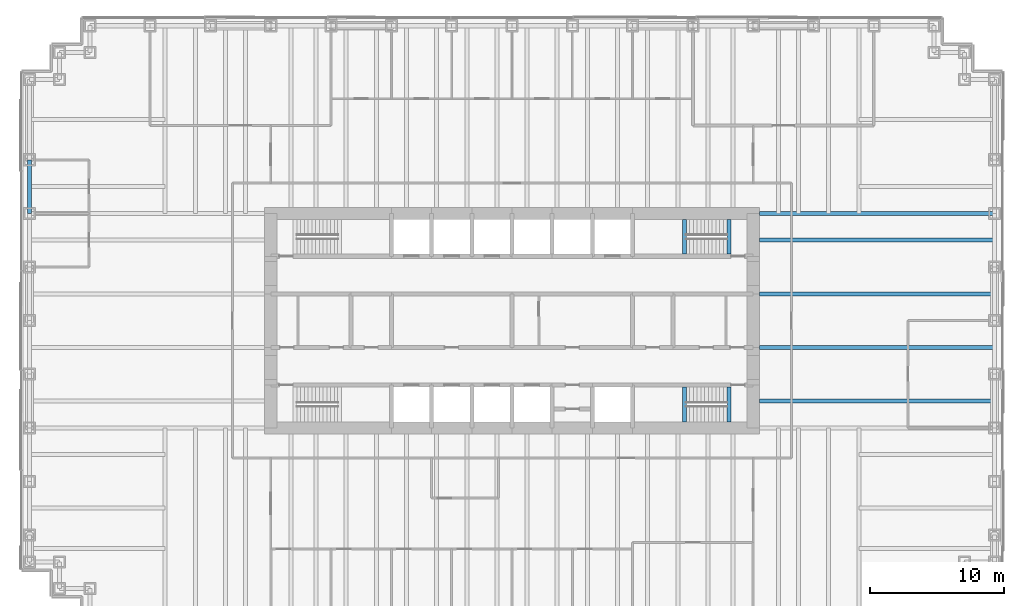
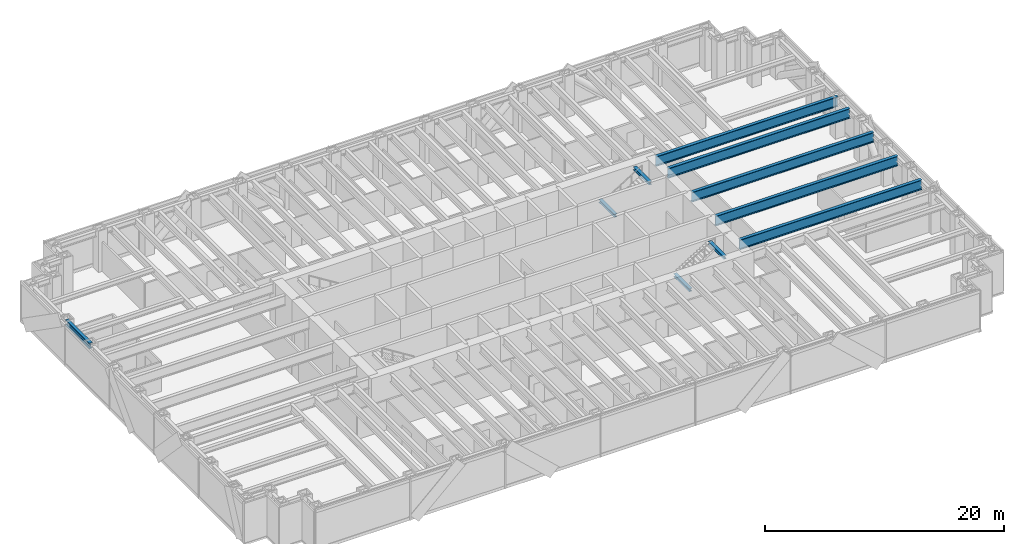
# One storey, part 5 of 15: 10 beams.
"""IFC4 building model written with IfcOpenShell, lengths in metres."""

import ifcopenshell
import ifcopenshell.guid

model = None  # the IFC model being written
_history = None  # IfcOwnerHistory: only IFC2X3 demands one
_inside = {}  # id of a spatial element -> (the spatial element, [elements in it])
_under = {}  # id of a project, library or spatial element -> (it, [spatial elements below it])
_declared = {}  # id of a project -> (the project, [libraries it declares])
_typed = {}  # id of a type object -> (the type object, [elements of that type])
_made_of = {}  # id of a material, layer set ... -> (it, [elements and type objects made of it])


def new_model(schema):
    """Start an empty IFC model of exactly this schema.

    Asked for "IFC4X3", IfcOpenShell would pick the latest addendum, in which some entities
    have other attributes; the version numbers below select the first issue.
    IFC2X3 requires an IfcOwnerHistory on every rooted entity: one is made here for all.
    """
    global model, _history
    if schema == "IFC4X3":
        model = ifcopenshell.file(schema_version=(4, 3, 0, 0))
    else:
        model = ifcopenshell.file(schema=schema)
    _inside.clear()
    _under.clear()
    _declared.clear()
    _typed.clear()
    _made_of.clear()
    _history = None
    if model.schema == "IFC2X3":
        org = make("IfcOrganization", Name="unknown")
        user = make(
            "IfcPersonAndOrganization",
            ThePerson=make("IfcPerson", FamilyName="unknown"),
            TheOrganization=org,
        )
        app = make(
            "IfcApplication",
            ApplicationDeveloper=org,
            Version="unknown",
            ApplicationFullName="unknown",
            ApplicationIdentifier="unknown",
        )
        _history = make(
            "IfcOwnerHistory",
            OwningUser=user,
            OwningApplication=app,
            ChangeAction="ADDED",
            CreationDate=0,
        )
    return model


def make(cls, **values):
    """One entity of the class cls with the attributes given. An attribute that is None is left unset."""
    return model.create_entity(
        cls, **{name: value for name, value in values.items() if value is not None}
    )


def rooted(cls, **values):
    """An entity with a GlobalId (a new one), such as an element, a storey or a relation."""
    return make(cls, GlobalId=ifcopenshell.guid.new(), OwnerHistory=_history, **values)


def si_unit(unit_type, name, prefix=None):
    """IfcSIUnit, for example si_unit("LENGTHUNIT", "METRE", prefix="MILLI")."""
    return make("IfcSIUnit", UnitType=unit_type, Prefix=prefix, Name=name)


def assignment(units):
    """IfcUnitAssignment: the units of a project."""
    return None if units is None else make("IfcUnitAssignment", Units=units)


def point(xyz):
    """IfcCartesianPoint."""
    return None if xyz is None else make("IfcCartesianPoint", Coordinates=xyz)


def direction(xyz):
    """IfcDirection."""
    return None if xyz is None else make("IfcDirection", DirectionRatios=xyz)


def frame(location, z_axis=None, x_axis=None):
    """IfcAxis2Placement3D, a coordinate frame: its origin and axes. An axis left out is left unset."""
    return make(
        "IfcAxis2Placement3D",
        Location=point(location),
        Axis=direction(z_axis),
        RefDirection=direction(x_axis),
    )


def frame_2d(location, x_axis=None):
    """IfcAxis2Placement2D, a coordinate frame in the plane: its origin and x axis."""
    return make(
        "IfcAxis2Placement2D", Location=point(location), RefDirection=direction(x_axis)
    )


def origin():
    """The frame at (0, 0, 0) with its axes left unset."""
    return frame((0.0, 0.0, 0.0))


def origin_2d():
    """The frame at (0, 0) in the plane with its x axis left unset."""
    return frame_2d((0.0, 0.0))


def place(relative_to, where):
    """IfcLocalPlacement: puts the frame where relative to a parent placement (None: the world)."""
    return make(
        "IfcLocalPlacement", PlacementRelTo=relative_to, RelativePlacement=where
    )


def context(
    kind, dimensions, precision=None, world=None, true_north=None, identifier=None
):
    """IfcGeometricRepresentationContext, for example the 3D "Model" context."""
    return make(
        "IfcGeometricRepresentationContext",
        ContextIdentifier=identifier,
        ContextType=kind,
        CoordinateSpaceDimension=dimensions,
        Precision=precision,
        WorldCoordinateSystem=world,
        TrueNorth=true_north,
    )


def subcontext(parent, identifier, kind, view, scale=None):
    """IfcGeometricRepresentationSubContext, for example "Body" below "Model"."""
    return make(
        "IfcGeometricRepresentationSubContext",
        ContextIdentifier=identifier,
        ContextType=kind,
        ParentContext=parent,
        TargetScale=scale,
        TargetView=view,
    )


def project(units=None, contexts=None):
    """IfcProject with its units and contexts."""
    return rooted(
        "IfcProject",
        Name="project",
        RepresentationContexts=contexts,
        UnitsInContext=assignment(units),
    )


def spatial(cls, under=None, at=None, **own):
    """A site, building, storey or space (cls), placed at a placement, below another one or the project."""
    s = rooted(cls, ObjectPlacement=at, **own)
    if under is not None:
        _under.setdefault(under.id(), (under, []))[1].append(s)
    return s


def profile(cls, at=None, kind="AREA", **sizes):
    """A parametric profile (cls). Its sizes go by their IFC names, for example OverallWidth=200.0."""
    return make(cls, ProfileType=kind, Position=at, **sizes)


def i_section(**sizes):
    """IfcIShapeProfileDef."""
    return profile("IfcIShapeProfileDef", **sizes)


def extrude(swept, where, along, depth):
    """IfcExtrudedAreaSolid: the profile swept, set in the frame where, extruded along a direction by depth."""
    return make(
        "IfcExtrudedAreaSolid",
        SweptArea=swept,
        Position=where,
        ExtrudedDirection=direction(along),
        Depth=depth,
    )


def shape(context_of_items, identifier, shape_type, items):
    """IfcShapeRepresentation: the items that make up one representation, for example the "Body"."""
    return make(
        "IfcShapeRepresentation",
        ContextOfItems=context_of_items,
        RepresentationIdentifier=identifier,
        RepresentationType=shape_type,
        Items=items,
    )


def material(Name=None, Category=None):
    """IfcMaterial."""
    return make("IfcMaterial", Name=Name, Category=Category)


def material_profile(
    of_material, cross_section, Name=None, Category=None, Priority=None
):
    """IfcMaterialProfile: a cross section and its material."""
    return make(
        "IfcMaterialProfile",
        Name=Name,
        Material=of_material,
        Profile=cross_section,
        Priority=Priority,
        Category=Category,
    )


def profile_set(profiles, Name=None, composite=None):
    """IfcMaterialProfileSet."""
    return make(
        "IfcMaterialProfileSet",
        Name=Name,
        MaterialProfiles=profiles,
        CompositeProfile=composite,
    )


def made_of(thing, what):
    """Note that an element or type object is made of a material, layer set ...; save() writes the relation."""
    if what is not None:
        _made_of.setdefault(what.id(), (what, []))[1].append(thing)
    return thing


def type_object(cls, material=None, **own):
    """A type object (cls), such as IfcWallType, which elements share."""
    return made_of(rooted(cls, **own), material)


def element(
    cls,
    number,
    at=None,
    inside=None,
    cuts=None,
    type_object=None,
    material=None,
    context=None,
    identifier="Body",
    shape_type=None,
    held_by="IfcProductDefinitionShape",
    body=None,
    shapes=None,
    **own,
):
    """One element of the class cls, such as IfcWall. Its Tag is "e" and its number.

    at: its placement. inside: the storey or other place that contains it. cuts: it is an
    opening in that element (IfcRelVoidsElement). A single representation is given by context,
    identifier, shape_type and body (its items); several are given by shapes. held_by: the class
    of the entity that holds the representations. save() writes the other relations.
    """
    e = rooted(cls, Tag="e%d" % number, ObjectPlacement=at, **own)
    if body is not None:
        shapes = [shape(context, identifier, shape_type, body)]
    if shapes is not None:
        e.Representation = make(held_by, Representations=shapes)
    if inside is not None:
        _inside.setdefault(inside.id(), (inside, []))[1].append(e)
    if cuts is not None:
        rooted(
            "IfcRelVoidsElement", RelatingBuildingElement=cuts, RelatedOpeningElement=e
        )
    if type_object is not None:
        _typed.setdefault(type_object.id(), (type_object, []))[1].append(e)
    return made_of(e, material)


def aggregate(whole, parts):
    """IfcRelAggregates: a whole, such as a stair, and the parts it consists of."""
    return rooted("IfcRelAggregates", RelatingObject=whole, RelatedObjects=parts)


def save(model, path):
    """Write the relations noted so far, then the file.

    IfcRelAggregates (storeys below a building ...), IfcRelContainedInSpatialStructure (elements
    in a storey), IfcRelDefinesByType, IfcRelAssociatesMaterial and IfcRelDeclares: one each for
    every whole, place, type object, material and project.
    """
    for whole, parts in _under.values():
        aggregate(whole, parts)
    for where, things in _inside.values():
        rooted(
            "IfcRelContainedInSpatialStructure",
            RelatedElements=things,
            RelatingStructure=where,
        )
    for kind, things in _typed.values():
        rooted("IfcRelDefinesByType", RelatedObjects=things, RelatingType=kind)
    for what, things in _made_of.values():
        rooted("IfcRelAssociatesMaterial", RelatedObjects=things, RelatingMaterial=what)
    for by, libraries in _declared.values():
        rooted("IfcRelDeclares", RelatingContext=by, RelatedDefinitions=libraries)
    model.write(path)


model = new_model("IFC4")

# Units and contexts
model_context = context("Model", 3, precision=1e-05, world=origin(), true_north=direction((0.0, 1.0)))
body_context = subcontext(model_context, "Body", "Model", "MODEL_VIEW")
ifc_project = project(units=[si_unit("LENGTHUNIT", "METRE"), si_unit("AREAUNIT", "SQUARE_METRE"), si_unit("VOLUMEUNIT", "CUBIC_METRE"), si_unit("PLANEANGLEUNIT", "RADIAN"), si_unit("MASSUNIT", "GRAM", prefix="KILO")], contexts=[model_context])

# Site, building, storey
site_placement = place(None, origin())
site = spatial("IfcSite", under=ifc_project, at=site_placement, CompositionType="ELEMENT")
building_placement = place(site_placement, origin())
building = spatial("IfcBuilding", under=site, at=building_placement, Name="Rheinbord Bourse Tower", CompositionType="ELEMENT")
storey_placement = place(building_placement, frame((0.0, 0.0, 104.699951171875)))
storey = spatial("IfcBuildingStorey", under=building, at=storey_placement, Name="L22", CompositionType="ELEMENT", Elevation=104.699951171875)

# Beams
ifc_material_1 = material(Name="Steel S460", Category="steel")
ifc_material_profile_1 = material_profile(ifc_material_1, i_section(OverallWidth=0.302001953125, OverallDepth=1.008056640625, WebThickness=0.02099609375, FlangeThickness=0.0400390625, at=origin_2d()), Name="HEM 1000")
ifc_profile_set_1 = profile_set([ifc_material_profile_1], Name="Steel S460")
beam_type_1 = type_object("IfcBeamType", Name="END BEAM HEM 1000", PredefinedType="BEAM", material=ifc_profile_set_1)
for number, where, z_axis, x_axis, name in (
    (1, (54.449951171875, 18.0, 3.5361328125), (1.0, 0.0, 0.0), (0.0, 1.0, 0.0), "End beam east 18 L23"),
    (2, (54.449951171875, 22.0, 3.5361328125), (1.0, 0.0, 0.0), (0.0, 1.0, 0.0), "End beam east 22 L23"),
    (3, (54.449951171875, 26.0, 3.5361328125), (1.0, 0.0, 0.0), (0.0, 1.0, 0.0), "End beam east 26 L23"),
    (4, (54.449951171875, 30.0, 3.5361328125), (1.0, 0.0, 0.0), (0.0, 1.0, 0.0), "End beam east 30 L23"),
):
    element("IfcBeam", number, at=place(storey_placement, frame(where, z_axis=z_axis, x_axis=x_axis)), inside=storey, type_object=beam_type_1, Name=name, PredefinedType="BEAM", context=body_context, shape_type="SweptSolid", body=[
        extrude(i_section(OverallWidth=0.302001953125, OverallDepth=1.008056640625, WebThickness=0.02099609375, FlangeThickness=0.0400390625, at=origin_2d()), origin(), (0.0, 0.0, 1.0), 17.550048828125),
    ])
ifc_material_2 = material(Name="Steel S460", Category="steel")
ifc_material_profile_2 = material_profile(ifc_material_2, i_section(OverallWidth=0.302001953125, OverallDepth=1.008056640625, WebThickness=0.02099609375, FlangeThickness=0.0400390625, at=origin_2d()), Name="HEM 1000")
ifc_profile_set_2 = profile_set([ifc_material_profile_2], Name="Steel S460")
beam_type_2 = type_object("IfcBeamType", Name="GIRDER HEM 1000", PredefinedType="BEAM", material=ifc_profile_set_2)
beam_1_placement = place(storey_placement, frame((54.449951171875, 32.0, 3.5361328125), z_axis=(1.0, 0.0, 0.0), x_axis=(0.0, 1.0, 0.0)))
element("IfcBeam", 5, at=beam_1_placement, inside=storey, type_object=beam_type_2, Name="Girder east 32 L23", PredefinedType="BEAM", context=body_context, shape_type="SweptSolid", body=[
    extrude(i_section(OverallWidth=0.302001953125, OverallDepth=1.008056640625, WebThickness=0.02099609375, FlangeThickness=0.0400390625, at=origin_2d()), origin(), (0.0, 0.0, 1.0), 17.550048828125),
])
ifc_material_3 = material(Name="Steel S460", Category="steel")
ifc_material_profile_3 = material_profile(ifc_material_3, i_section(OverallWidth=0.300048828125, OverallDepth=0.300048828125, WebThickness=0.010986328125, FlangeThickness=0.01904296875, at=origin_2d()), Name="HEB 300")
ifc_profile_set_3 = profile_set([ifc_material_profile_3], Name="Steel S460")
beam_type_3 = type_object("IfcBeamType", Name="LANDING TRIMMER HEB 300", PredefinedType="BEAM", material=ifc_profile_set_3)
for number, where, z_axis, x_axis, name in (
    (6, (48.8701171875, 16.449951171875, 1.75), (0.0, 1.0, 0.0), (-1.0, 0.0, 0.0), "Landing trimmer ST3 L22"),
    (7, (52.199951171875, 16.449951171875, 3.89013671875), (0.0, 1.0, 0.0), (-1.0, 0.0, 0.0), "Well trimmer ST3 under L23"),
    (8, (48.8701171875, 28.949951171875, 1.75), (0.0, 1.0, 0.0), (-1.0, 0.0, 0.0), "Landing trimmer ST4 L22"),
    (9, (52.199951171875, 28.949951171875, 3.89013671875), (0.0, 1.0, 0.0), (-1.0, 0.0, 0.0), "Well trimmer ST4 under L23"),
):
    element("IfcBeam", number, at=place(storey_placement, frame(where, z_axis=z_axis, x_axis=x_axis)), inside=storey, type_object=beam_type_3, Name=name, PredefinedType="BEAM", context=body_context, shape_type="SweptSolid", body=[
        extrude(i_section(OverallWidth=0.300048828125, OverallDepth=0.300048828125, WebThickness=0.010986328125, FlangeThickness=0.01904296875, at=origin_2d()), origin(), (0.0, 0.0, 1.0), 2.60009765625),
    ])
ifc_material_4 = material(Name="Steel S460", Category="steel")
ifc_material_profile_4 = material_profile(ifc_material_4, i_section(OverallWidth=0.305908203125, OverallDepth=0.572021484375, WebThickness=0.02099609375, FlangeThickness=0.0400390625, at=origin_2d()), Name="HEM 550")
ifc_profile_set_4 = profile_set([ifc_material_profile_4], Name="Steel S460")
beam_type_4 = type_object("IfcBeamType", Name="SPANDREL HEM 550", PredefinedType="SPANDREL", material=ifc_profile_set_4)
beam_2_placement = place(storey_placement, frame((0.0, 36.0, 3.754150390625), z_axis=(0.0, -1.0, 0.0), x_axis=(1.0, 0.0, 0.0)))
element("IfcBeam", 10, at=beam_2_placement, inside=storey, type_object=beam_type_4, Name="Spandrel W-36-W-32 under L23", PredefinedType="SPANDREL", context=body_context, shape_type="SweptSolid", body=[
    extrude(i_section(OverallWidth=0.305908203125, OverallDepth=0.572021484375, WebThickness=0.02099609375, FlangeThickness=0.0400390625, at=origin_2d()), origin(), (0.0, 0.0, 1.0), 4.0),
])

save(model, "model.ifc")
